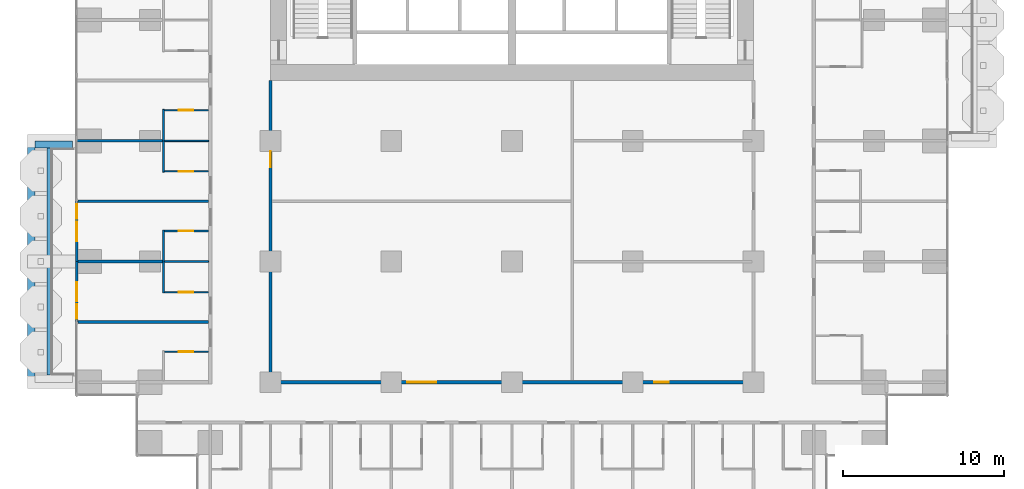
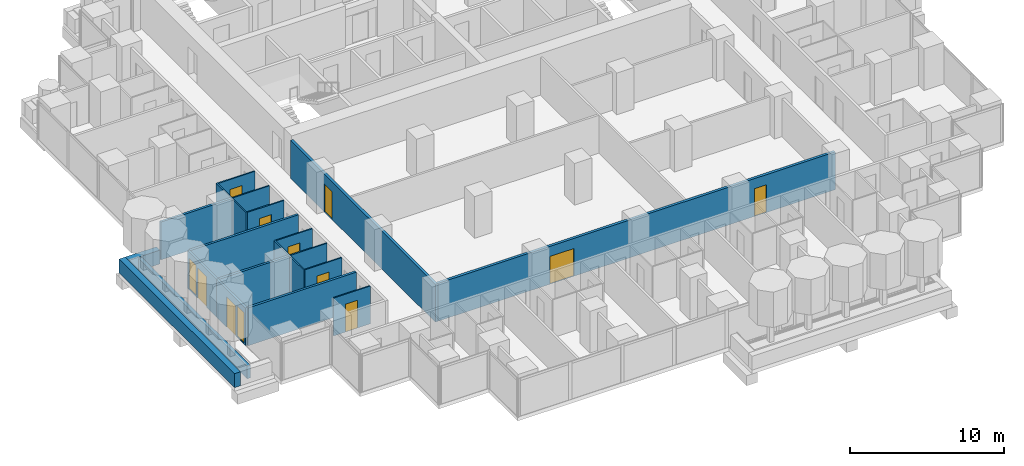
# One storey, part 12 of 20: 20 walls, 10 doors, 2 windows, 12 openings.
"""IFC4 building model written with IfcOpenShell, lengths in metres."""

from ifc_helpers import new_model, si_unit, direction, frame, frame_2d, origin, place, context, subcontext, project, spatial, rectangle, extrude, material, layer, layer_set, type_object, element, fill, save


model = new_model("IFC4")

# Units and contexts
model_context = context("Model", 3, precision=1e-05, world=origin(), true_north=direction((0.0, 1.0)))
body_context = subcontext(model_context, "Body", "Model", "MODEL_VIEW")
ifc_project = project(units=[si_unit("LENGTHUNIT", "METRE"), si_unit("AREAUNIT", "SQUARE_METRE"), si_unit("VOLUMEUNIT", "CUBIC_METRE"), si_unit("PLANEANGLEUNIT", "RADIAN"), si_unit("MASSUNIT", "GRAM", prefix="KILO")], contexts=[model_context])

# Site, building, storey
site_placement = place(None, origin())
site = spatial("IfcSite", under=ifc_project, at=site_placement, CompositionType="ELEMENT")
building_placement = place(site_placement, origin())
building = spatial("IfcBuilding", under=site, at=building_placement, Name="Pilkhan Gate Tower", CompositionType="ELEMENT")
storey_placement = place(building_placement, frame((0.0, 0.0, 85.699951171875)))
storey = spatial("IfcBuildingStorey", under=building, at=storey_placement, Name="L20", CompositionType="ELEMENT", Elevation=85.699951171875)

# Walls
ifc_material_1 = material(Name="Dense blockwork", Category="masonry")
ifc_layer_1 = layer(ifc_material_1, 0.175048828125)
ifc_layer_set_1 = layer_set([ifc_layer_1], Name="Acoustic party wall PW175")
wall_type_1 = type_object("IfcWallType", Name="Acoustic party wall PW175", PredefinedType="PARTITIONING", material=ifc_layer_set_1)
wall_1_placement = place(storey_placement, frame((48.0400390625, 56.25, 0.0), z_axis=(0.0, 0.0, 1.0), x_axis=(1.0, 0.0, 0.0)))
element("IfcWall", 1, at=wall_1_placement, inside=storey, type_object=wall_type_1, Name="Partition L20", PredefinedType="PARTITIONING", context=body_context, shape_type="SweptSolid", body=[
    extrude(rectangle(XDim=8.10986328125, YDim=0.175048828125, at=frame_2d((4.054931640625, 0.0))), origin(), (0.0, 0.0, 1.0), 3.0),
])
wall_2_placement = place(storey_placement, frame((48.0400390625, 60.0, 0.0), z_axis=(0.0, 0.0, 1.0), x_axis=(1.0, 0.0, 0.0)))
element("IfcWall", 2, at=wall_2_placement, inside=storey, type_object=wall_type_1, Name="Partition L20", PredefinedType="PARTITIONING", context=body_context, shape_type="SweptSolid", body=[
    extrude(rectangle(XDim=5.260009765625, YDim=0.175048828125, at=frame_2d((2.6298828125, 0.0))), origin(), (0.0, 0.0, 1.0), 3.0),
])
wall_3_placement = place(storey_placement, frame((48.0400390625, 63.75, 0.0), z_axis=(0.0, 0.0, 1.0), x_axis=(1.0, 0.0, 0.0)))
element("IfcWall", 3, at=wall_3_placement, inside=storey, type_object=wall_type_1, Name="Partition L20", PredefinedType="PARTITIONING", context=body_context, shape_type="SweptSolid", body=[
    extrude(rectangle(XDim=8.10986328125, YDim=0.175048828125, at=frame_2d((4.054931640625, 0.0))), origin(), (0.0, 0.0, 1.0), 3.0),
])
wall_4_placement = place(storey_placement, frame((47.985107421875, 67.5, 0.0), z_axis=(0.0, 0.0, 1.0), x_axis=(1.0, 0.0, 0.0)))
element("IfcWall", 4, at=wall_4_placement, inside=storey, type_object=wall_type_1, Name="Partition L20", PredefinedType="PARTITIONING", context=body_context, shape_type="SweptSolid", body=[
    extrude(rectangle(XDim=5.31494140625, YDim=0.175048828125, at=frame_2d((2.657470703125, 0.0))), origin(), (0.0, 0.0, 1.0), 3.0),
])
ifc_material_2 = material(Name="Concrete C40/50", Category="concrete")
ifc_layer_2 = layer(ifc_material_2, 0.25)
ifc_layer_set_2 = layer_set([ifc_layer_2], Name="Balcony planter BP250")
wall_type_2 = type_object("IfcWallType", Name="Balcony planter BP250", PredefinedType="USERDEFINED", material=ifc_layer_set_2)
wall_5_placement = place(storey_placement, frame((46.22509765625, 52.949951171875, 0.0), z_axis=(0.0, 0.0, 1.0), x_axis=(0.0, 1.0, 0.0)))
element("IfcWall", 5, at=wall_5_placement, inside=storey, type_object=wall_type_2, Name="Balcony planter L20 W", ObjectType="BALCONY PLANTER", PredefinedType="USERDEFINED", context=body_context, shape_type="SweptSolid", body=[
    extrude(rectangle(XDim=14.10009765625, YDim=0.25, at=frame_2d((7.050048828125, 0.0))), origin(), (0.0, 0.0, 1.0), 1.0),
])
ifc_material_3 = material(Name="Board-marked Concrete C40/50", Category="concrete")
ifc_layer_3 = layer(ifc_material_3, 0.449951171875)
ifc_layer_set_3 = layer_set([ifc_layer_3], Name="Balcony planter lip BL450")
wall_type_3 = type_object("IfcWallType", Name="Balcony planter lip BL450", PredefinedType="USERDEFINED", material=ifc_layer_set_3)
wall_6_placement = place(storey_placement, frame((45.125, 52.5, 0.0), z_axis=(0.0, 0.0, 1.0), x_axis=(0.0, 1.0, 0.0)))
element("IfcWall", 6, at=wall_6_placement, inside=storey, type_object=wall_type_3, Name="Balcony planter L20 W", ObjectType="BALCONY PLANTER", PredefinedType="USERDEFINED", context=body_context, shape_type="SweptSolid", body=[
    extrude(rectangle(XDim=15.0, YDim=0.449951171875, at=frame_2d((7.5, 0.0))), origin(), (0.0, 0.0, 1.0), 1.10009765625),
])
wall_7_placement = place(storey_placement, frame((47.699951171875, 67.27490234375, 0.0), z_axis=(0.0, 0.0, 1.0), x_axis=(-1.0, 0.0, 0.0)))
element("IfcWall", 7, at=wall_7_placement, inside=storey, type_object=wall_type_3, Name="Balcony planter L20 W", ObjectType="BALCONY PLANTER", PredefinedType="USERDEFINED", context=body_context, shape_type="SweptSolid", body=[
    extrude(rectangle(XDim=2.349853515625, YDim=0.449951171875, at=frame_2d((1.1748046875, 0.0))), origin(), (0.0, 0.0, 1.0), 1.10009765625),
])

# Wall, openings, doors
ifc_layer_4 = layer(ifc_material_1, 0.199951171875)
ifc_layer_set_4 = layer_set([ifc_layer_4], Name="Corridor wall FW200")
wall_type_4 = type_object("IfcWallType", Name="Corridor wall FW200", PredefinedType="PARTITIONING", material=ifc_layer_set_4)
wall_8_placement = place(storey_placement, frame((60.10009765625, 52.5, 0.0), z_axis=(0.0, 0.0, 1.0), x_axis=(1.0, 0.0, 0.0)))
wall_8 = element("IfcWall", 8, at=wall_8_placement, inside=storey, type_object=wall_type_4, Name="Partition L20", PredefinedType="PARTITIONING", context=body_context, shape_type="SweptSolid", body=[
    extrude(rectangle(XDim=29.7998046875, YDim=0.199951171875, at=frame_2d((14.89990234375, 0.0))), origin(), (0.0, 0.0, 1.0), 3.0),
])
opening_1_placement = place(wall_8_placement, frame((8.39990234375, 0.0, 0.0)))
opening_1 = element("IfcOpeningElement", 9, at=opening_1_placement, cuts=wall_8, Name="Opening L20-64", PredefinedType="OPENING", context=body_context, shape_type="SweptSolid", body=[
    extrude(rectangle(XDim=1.800048828125, YDim=2.199951171875, at=frame_2d((0.89990234375, 1.10009765625))), frame((0.0, 0.10986328125, 0.0), z_axis=(0.0, -1.0, 0.0), x_axis=(1.0, 0.0, 0.0)), (0.0, 0.0, 1.0), 0.219970703125),
])
opening_2_placement = place(wall_8_placement, frame((23.75, 0.0, 0.0)))
opening_2 = element("IfcOpeningElement", 10, at=opening_2_placement, cuts=wall_8, Name="Opening L20-65", PredefinedType="OPENING", context=body_context, shape_type="SweptSolid", body=[
    extrude(rectangle(XDim=0.89990234375, YDim=2.199951171875, at=frame_2d((0.449951171875, 1.10009765625))), frame((0.0, 0.10986328125, 0.0), z_axis=(0.0, -1.0, 0.0), x_axis=(1.0, 0.0, 0.0)), (0.0, 0.0, 1.0), 0.219970703125),
])
ifc_material_4 = material(Name="Timber glazed double door, 30 minute fire resisting", Category="wood")
door_type_1 = type_object("IfcDoorType", Name="Double door D04 1800x2200", OperationType="DOUBLE_DOOR_SINGLE_SWING", PredefinedType="DOOR", material=ifc_material_4)
door_1_placement = place(opening_1_placement, origin())
door_1 = element("IfcDoor", 11, at=door_1_placement, inside=storey, type_object=door_type_1, Name="Double door", OperationType="DOUBLE_DOOR_SINGLE_SWING", OverallHeight=2.199951171875, OverallWidth=1.800048828125, PredefinedType="DOOR", context=body_context, shape_type="SweptSolid", body=[
    extrude(rectangle(XDim=1.800048828125, YDim=2.199951171875, at=frame_2d((0.89990234375, 1.10009765625))), frame((0.0, 0.02490234375, 0.0), z_axis=(0.0, -1.0, 0.0), x_axis=(1.0, 0.0, 0.0)), (0.0, 0.0, 1.0), 0.050048828125),
])
fill(opening_1, door_1)
ifc_material_5 = material(Name="Timber flush door, 60 minute fire resisting, self-closing", Category="wood")
door_type_2 = type_object("IfcDoorType", Name="Store door D05 900x2200", OperationType="SINGLE_SWING_LEFT", PredefinedType="DOOR", material=ifc_material_5)
door_2_placement = place(opening_2_placement, origin())
door_2 = element("IfcDoor", 12, at=door_2_placement, inside=storey, type_object=door_type_2, Name="Store door", OperationType="SINGLE_SWING_RIGHT", OverallHeight=2.199951171875, OverallWidth=0.89990234375, PredefinedType="DOOR", context=body_context, shape_type="SweptSolid", body=[
    extrude(rectangle(XDim=0.89990234375, YDim=2.199951171875, at=frame_2d((0.449951171875, 1.10009765625))), frame((0.0, 0.02490234375, 0.0), z_axis=(0.0, -1.0, 0.0), x_axis=(1.0, 0.0, 0.0)), (0.0, 0.0, 1.0), 0.050048828125),
])
fill(opening_2, door_2)

# Wall, opening, door
wall_9_placement = place(storey_placement, frame((60.0, 52.39990234375, 0.0), z_axis=(0.0, 0.0, 1.0), x_axis=(0.0, 1.0, 0.0)))
wall_9 = element("IfcWall", 13, at=wall_9_placement, inside=storey, type_object=wall_type_4, Name="Partition L20", PredefinedType="PARTITIONING", context=body_context, shape_type="SweptSolid", body=[
    extrude(rectangle(XDim=18.840087890625, YDim=0.199951171875, at=frame_2d((9.419921875, 0.0))), origin(), (0.0, 0.0, 1.0), 3.0),
])
opening_3_placement = place(wall_9_placement, frame((13.449951171875, 0.0, 0.0)))
opening_3 = element("IfcOpeningElement", 14, at=opening_3_placement, cuts=wall_9, Name="Opening L20-67", PredefinedType="OPENING", context=body_context, shape_type="SweptSolid", body=[
    extrude(rectangle(XDim=1.0, YDim=2.199951171875, at=frame_2d((0.5, 1.10009765625))), frame((0.0, 0.10986328125, 0.0), z_axis=(0.0, -1.0, 0.0), x_axis=(1.0, 0.0, 0.0)), (0.0, 0.0, 1.0), 0.219970703125),
])
ifc_material_6 = material(Name="Timber flush door, 30 minute fire resisting", Category="wood")
door_type_3 = type_object("IfcDoorType", Name="Room door D03 1000x2200", OperationType="SINGLE_SWING_LEFT", PredefinedType="DOOR", material=ifc_material_6)
door_3_placement = place(opening_3_placement, origin())
door_3 = element("IfcDoor", 15, at=door_3_placement, inside=storey, type_object=door_type_3, Name="Room door", OperationType="SINGLE_SWING_LEFT", OverallHeight=2.199951171875, OverallWidth=1.0, PredefinedType="DOOR", context=body_context, shape_type="SweptSolid", body=[
    extrude(rectangle(XDim=1.0, YDim=2.199951171875, at=frame_2d((0.5, 1.10009765625))), frame((0.0, 0.02490234375, 0.0), z_axis=(0.0, -1.0, 0.0), x_axis=(1.0, 0.0, 0.0)), (0.0, 0.0, 1.0), 0.050048828125),
])
fill(opening_3, door_3)

# Wall, openings, door, window
ifc_material_7 = material(Name="Pale anodised aluminium, clear laminated glazing", Category="aluminium")
ifc_layer_5 = layer(ifc_material_7, 0.14990234375)
ifc_layer_set_5 = layer_set([ifc_layer_5], Name="Facade infill wall IW150")
wall_type_5 = type_object("IfcWallType", Name="Facade infill wall IW150", PredefinedType="SOLIDWALL", material=ifc_layer_set_5)
wall_10_placement = place(storey_placement, frame((47.955078125, 56.25, 0.0), z_axis=(0.0, 0.0, 1.0), x_axis=(0.0, 1.0, 0.0)))
wall_10 = element("IfcWall", 16, at=wall_10_placement, inside=storey, type_object=wall_type_5, Name="Infill wall L20 W", PredefinedType="SOLIDWALL", context=body_context, shape_type="SweptSolid", body=[
    extrude(rectangle(XDim=3.75, YDim=0.14990234375, at=frame_2d((1.875, 0.0))), origin(), (0.0, 0.0, 1.0), 3.0),
])
opening_4_placement = place(wall_10_placement, frame((0.1875, 0.0, 0.10009765625)))
opening_4 = element("IfcOpeningElement", 17, at=opening_4_placement, cuts=wall_10, Name="Opening W1", PredefinedType="OPENING", context=body_context, shape_type="SweptSolid", body=[
    extrude(rectangle(XDim=0.89990234375, YDim=2.39990234375, at=frame_2d((0.449951171875, 1.199951171875))), frame((0.0, 0.0849609375, 0.0), z_axis=(0.0, -1.0, 0.0), x_axis=(1.0, 0.0, 0.0)), (0.0, 0.0, 1.0), 0.169921875),
])
opening_5_placement = place(wall_10_placement, frame((1.27490234375, 0.0, 0.0)))
opening_5 = element("IfcOpeningElement", 18, at=opening_5_placement, cuts=wall_10, Name="Opening D1", PredefinedType="OPENING", context=body_context, shape_type="SweptSolid", body=[
    extrude(rectangle(XDim=1.199951171875, YDim=2.39990234375, at=frame_2d((0.60009765625, 1.199951171875))), frame((0.0, 0.0849609375, 0.0), z_axis=(0.0, -1.0, 0.0), x_axis=(1.0, 0.0, 0.0)), (0.0, 0.0, 1.0), 0.169921875),
])
ifc_material_8 = material(Name="Pale anodised aluminium, clear glazing", Category="aluminium")
door_type_4 = type_object("IfcDoorType", Name="Balcony door D1 1200x2400", OperationType="SINGLE_SWING_LEFT", PredefinedType="DOOR", material=ifc_material_8)
door_4_placement = place(opening_5_placement, origin())
door_4 = element("IfcDoor", 19, at=door_4_placement, inside=storey, type_object=door_type_4, Name="Balcony door L20", OperationType="SINGLE_SWING_LEFT", OverallHeight=2.39990234375, OverallWidth=1.199951171875, PredefinedType="DOOR", context=body_context, shape_type="SweptSolid", body=[
    extrude(rectangle(XDim=1.199951171875, YDim=2.39990234375, at=frame_2d((0.60009765625, 1.199951171875))), frame((0.0, 0.02490234375, 0.0), z_axis=(0.0, -1.0, 0.0), x_axis=(1.0, 0.0, 0.0)), (0.0, 0.0, 1.0), 0.050048828125),
])
fill(opening_5, door_4)
ifc_material_9 = material(Name="Pale anodised aluminium, clear double glazing", Category="aluminium")
window_type = type_object("IfcWindowType", Name="Window W1 900x2400", PartitioningType="SINGLE_PANEL", PredefinedType="WINDOW", material=ifc_material_9)
window_1_placement = place(opening_4_placement, origin())
window_1 = element("IfcWindow", 20, at=window_1_placement, inside=storey, type_object=window_type, Name="Window L20", OverallHeight=2.39990234375, OverallWidth=0.89990234375, PartitioningType="SINGLE_PANEL", PredefinedType="WINDOW", context=body_context, shape_type="SweptSolid", body=[
    extrude(rectangle(XDim=0.89990234375, YDim=2.39990234375, at=frame_2d((0.449951171875, 1.199951171875))), frame((0.0, 0.030029296875, 0.0), z_axis=(0.0, -1.0, 0.0), x_axis=(1.0, 0.0, 0.0)), (0.0, 0.0, 1.0), 0.06005859375),
])
fill(opening_4, window_1)

wall_11_placement = place(storey_placement, frame((47.955078125, 60.0, 0.0), z_axis=(0.0, 0.0, 1.0), x_axis=(0.0, 1.0, 0.0)))
wall_11 = element("IfcWall", 21, at=wall_11_placement, inside=storey, type_object=wall_type_5, Name="Infill wall L20 W", PredefinedType="SOLIDWALL", context=body_context, shape_type="SweptSolid", body=[
    extrude(rectangle(XDim=3.75, YDim=0.14990234375, at=frame_2d((1.875, 0.0))), origin(), (0.0, 0.0, 1.0), 3.0),
])
opening_6_placement = place(wall_11_placement, frame((1.27490234375, 0.0, 0.0)))
opening_6 = element("IfcOpeningElement", 22, at=opening_6_placement, cuts=wall_11, Name="Opening D1", PredefinedType="OPENING", context=body_context, shape_type="SweptSolid", body=[
    extrude(rectangle(XDim=1.199951171875, YDim=2.39990234375, at=frame_2d((0.60009765625, 1.199951171875))), frame((0.0, 0.0849609375, 0.0), z_axis=(0.0, -1.0, 0.0), x_axis=(1.0, 0.0, 0.0)), (0.0, 0.0, 1.0), 0.169921875),
])
opening_7_placement = place(wall_11_placement, frame((2.66259765625, 0.0, 0.10009765625)))
opening_7 = element("IfcOpeningElement", 23, at=opening_7_placement, cuts=wall_11, Name="Opening W1", PredefinedType="OPENING", context=body_context, shape_type="SweptSolid", body=[
    extrude(rectangle(XDim=0.89990234375, YDim=2.39990234375, at=frame_2d((0.449951171875, 1.199951171875))), frame((0.0, 0.0849609375, 0.0), z_axis=(0.0, -1.0, 0.0), x_axis=(1.0, 0.0, 0.0)), (0.0, 0.0, 1.0), 0.169921875),
])
door_5_placement = place(opening_6_placement, origin())
door_5 = element("IfcDoor", 24, at=door_5_placement, inside=storey, type_object=door_type_4, Name="Balcony door L20", OperationType="SINGLE_SWING_LEFT", OverallHeight=2.39990234375, OverallWidth=1.199951171875, PredefinedType="DOOR", context=body_context, shape_type="SweptSolid", body=[
    extrude(rectangle(XDim=1.199951171875, YDim=2.39990234375, at=frame_2d((0.60009765625, 1.199951171875))), frame((0.0, 0.02490234375, 0.0), z_axis=(0.0, -1.0, 0.0), x_axis=(1.0, 0.0, 0.0)), (0.0, 0.0, 1.0), 0.050048828125),
])
fill(opening_6, door_5)
window_2_placement = place(opening_7_placement, origin())
window_2 = element("IfcWindow", 25, at=window_2_placement, inside=storey, type_object=window_type, Name="Window L20", OverallHeight=2.39990234375, OverallWidth=0.89990234375, PartitioningType="SINGLE_PANEL", PredefinedType="WINDOW", context=body_context, shape_type="SweptSolid", body=[
    extrude(rectangle(XDim=0.89990234375, YDim=2.39990234375, at=frame_2d((0.449951171875, 1.199951171875))), frame((0.0, 0.030029296875, 0.0), z_axis=(0.0, -1.0, 0.0), x_axis=(1.0, 0.0, 0.0)), (0.0, 0.0, 1.0), 0.06005859375),
])
fill(opening_7, window_2)

# Wall, opening, door
ifc_material_10 = material(Name="Moisture resistant board, tiled")
ifc_layer_6 = layer(ifc_material_10, 0.10009765625)
ifc_layer_set_6 = layer_set([ifc_layer_6], Name="Wet wall PW100")
wall_type_6 = type_object("IfcWallType", Name="Wet wall PW100", PredefinedType="PARTITIONING", material=ifc_layer_set_6)
wall_12_placement = place(storey_placement, frame((53.39990234375, 54.39990234375, 0.0), z_axis=(0.0, 0.0, 1.0), x_axis=(1.0, 0.0, 0.0)))
wall_12 = element("IfcWall", 26, at=wall_12_placement, inside=storey, type_object=wall_type_6, Name="Partition L20", PredefinedType="PARTITIONING", context=body_context, shape_type="SweptSolid", body=[
    extrude(rectangle(XDim=2.75, YDim=0.10009765625, at=frame_2d((1.375, 0.0))), origin(), (0.0, 0.0, 1.0), 3.0),
])
opening_8_placement = place(wall_12_placement, frame((0.89990234375, 0.0, 0.0)))
opening_8 = element("IfcOpeningElement", 27, at=opening_8_placement, cuts=wall_12, Name="Opening L20-27", PredefinedType="OPENING", context=body_context, shape_type="SweptSolid", body=[
    extrude(rectangle(XDim=0.89990234375, YDim=2.199951171875, at=frame_2d((0.449951171875, 1.10009765625))), frame((0.0, 0.06005859375, 0.0), z_axis=(0.0, -1.0, 0.0), x_axis=(1.0, 0.0, 0.0)), (0.0, 0.0, 1.0), 0.1201171875),
])
ifc_material_11 = material(Name="Timber flush door", Category="wood")
door_type_5 = type_object("IfcDoorType", Name="Bathroom door D02 900x2200", OperationType="SINGLE_SWING_RIGHT", PredefinedType="DOOR", material=ifc_material_11)
door_6_placement = place(opening_8_placement, origin())
door_6 = element("IfcDoor", 28, at=door_6_placement, inside=storey, type_object=door_type_5, Name="Bathroom door", OperationType="SINGLE_SWING_RIGHT", OverallHeight=2.199951171875, OverallWidth=0.89990234375, PredefinedType="DOOR", context=body_context, shape_type="SweptSolid", body=[
    extrude(rectangle(XDim=0.89990234375, YDim=2.199951171875, at=frame_2d((0.449951171875, 1.10009765625))), frame((0.0, 0.02490234375, 0.0), z_axis=(0.0, -1.0, 0.0), x_axis=(1.0, 0.0, 0.0)), (0.0, 0.0, 1.0), 0.050048828125),
])
fill(opening_8, door_6)

wall_13_placement = place(storey_placement, frame((53.39990234375, 58.10009765625, 0.0), z_axis=(0.0, 0.0, 1.0), x_axis=(1.0, 0.0, 0.0)))
wall_13 = element("IfcWall", 29, at=wall_13_placement, inside=storey, type_object=wall_type_6, Name="Partition L20", PredefinedType="PARTITIONING", context=body_context, shape_type="SweptSolid", body=[
    extrude(rectangle(XDim=2.75, YDim=0.10009765625, at=frame_2d((1.375, 0.0))), origin(), (0.0, 0.0, 1.0), 3.0),
])
opening_9_placement = place(wall_13_placement, frame((0.89990234375, 0.0, 0.0)))
opening_9 = element("IfcOpeningElement", 30, at=opening_9_placement, cuts=wall_13, Name="Opening L20-29", PredefinedType="OPENING", context=body_context, shape_type="SweptSolid", body=[
    extrude(rectangle(XDim=0.89990234375, YDim=2.199951171875, at=frame_2d((0.449951171875, 1.10009765625))), frame((0.0, 0.06005859375, 0.0), z_axis=(0.0, -1.0, 0.0), x_axis=(1.0, 0.0, 0.0)), (0.0, 0.0, 1.0), 0.1201171875),
])
door_7_placement = place(opening_9_placement, origin())
door_7 = element("IfcDoor", 31, at=door_7_placement, inside=storey, type_object=door_type_5, Name="Bathroom door", OperationType="SINGLE_SWING_RIGHT", OverallHeight=2.199951171875, OverallWidth=0.89990234375, PredefinedType="DOOR", context=body_context, shape_type="SweptSolid", body=[
    extrude(rectangle(XDim=0.89990234375, YDim=2.199951171875, at=frame_2d((0.449951171875, 1.10009765625))), frame((0.0, 0.02490234375, 0.0), z_axis=(0.0, -1.0, 0.0), x_axis=(1.0, 0.0, 0.0)), (0.0, 0.0, 1.0), 0.050048828125),
])
fill(opening_9, door_7)

# Wall
wall_14_placement = place(storey_placement, frame((53.39990234375, 60.0, 0.0), z_axis=(0.0, 0.0, 1.0), x_axis=(1.0, 0.0, 0.0)))
element("IfcWall", 32, at=wall_14_placement, inside=storey, type_object=wall_type_6, Name="Partition L20", PredefinedType="PARTITIONING", context=body_context, shape_type="SweptSolid", body=[
    extrude(rectangle(XDim=2.75, YDim=0.10009765625, at=frame_2d((1.375, 0.0))), origin(), (0.0, 0.0, 1.0), 3.0),
])

# Wall, opening, door
wall_15_placement = place(storey_placement, frame((53.39990234375, 61.89990234375, 0.0), z_axis=(0.0, 0.0, 1.0), x_axis=(1.0, 0.0, 0.0)))
wall_15 = element("IfcWall", 33, at=wall_15_placement, inside=storey, type_object=wall_type_6, Name="Partition L20", PredefinedType="PARTITIONING", context=body_context, shape_type="SweptSolid", body=[
    extrude(rectangle(XDim=2.75, YDim=0.10009765625, at=frame_2d((1.375, 0.0))), origin(), (0.0, 0.0, 1.0), 3.0),
])
opening_10_placement = place(wall_15_placement, frame((0.89990234375, 0.0, 0.0)))
opening_10 = element("IfcOpeningElement", 34, at=opening_10_placement, cuts=wall_15, Name="Opening L20-31", PredefinedType="OPENING", context=body_context, shape_type="SweptSolid", body=[
    extrude(rectangle(XDim=0.89990234375, YDim=2.199951171875, at=frame_2d((0.449951171875, 1.10009765625))), frame((0.0, 0.06005859375, 0.0), z_axis=(0.0, -1.0, 0.0), x_axis=(1.0, 0.0, 0.0)), (0.0, 0.0, 1.0), 0.1201171875),
])
door_8_placement = place(opening_10_placement, origin())
door_8 = element("IfcDoor", 35, at=door_8_placement, inside=storey, type_object=door_type_5, Name="Bathroom door", OperationType="SINGLE_SWING_RIGHT", OverallHeight=2.199951171875, OverallWidth=0.89990234375, PredefinedType="DOOR", context=body_context, shape_type="SweptSolid", body=[
    extrude(rectangle(XDim=0.89990234375, YDim=2.199951171875, at=frame_2d((0.449951171875, 1.10009765625))), frame((0.0, 0.02490234375, 0.0), z_axis=(0.0, -1.0, 0.0), x_axis=(1.0, 0.0, 0.0)), (0.0, 0.0, 1.0), 0.050048828125),
])
fill(opening_10, door_8)

wall_16_placement = place(storey_placement, frame((53.39990234375, 65.60009765625, 0.0), z_axis=(0.0, 0.0, 1.0), x_axis=(1.0, 0.0, 0.0)))
wall_16 = element("IfcWall", 36, at=wall_16_placement, inside=storey, type_object=wall_type_6, Name="Partition L20", PredefinedType="PARTITIONING", context=body_context, shape_type="SweptSolid", body=[
    extrude(rectangle(XDim=2.75, YDim=0.10009765625, at=frame_2d((1.375, 0.0))), origin(), (0.0, 0.0, 1.0), 3.0),
])
opening_11_placement = place(wall_16_placement, frame((0.89990234375, 0.0, 0.0)))
opening_11 = element("IfcOpeningElement", 37, at=opening_11_placement, cuts=wall_16, Name="Opening L20-33", PredefinedType="OPENING", context=body_context, shape_type="SweptSolid", body=[
    extrude(rectangle(XDim=0.89990234375, YDim=2.199951171875, at=frame_2d((0.449951171875, 1.10009765625))), frame((0.0, 0.06005859375, 0.0), z_axis=(0.0, -1.0, 0.0), x_axis=(1.0, 0.0, 0.0)), (0.0, 0.0, 1.0), 0.1201171875),
])
door_9_placement = place(opening_11_placement, origin())
door_9 = element("IfcDoor", 38, at=door_9_placement, inside=storey, type_object=door_type_5, Name="Bathroom door", OperationType="SINGLE_SWING_RIGHT", OverallHeight=2.199951171875, OverallWidth=0.89990234375, PredefinedType="DOOR", context=body_context, shape_type="SweptSolid", body=[
    extrude(rectangle(XDim=0.89990234375, YDim=2.199951171875, at=frame_2d((0.449951171875, 1.10009765625))), frame((0.0, 0.02490234375, 0.0), z_axis=(0.0, -1.0, 0.0), x_axis=(1.0, 0.0, 0.0)), (0.0, 0.0, 1.0), 0.050048828125),
])
fill(opening_11, door_9)

# Wall
wall_17_placement = place(storey_placement, frame((53.39990234375, 67.5, 0.0), z_axis=(0.0, 0.0, 1.0), x_axis=(1.0, 0.0, 0.0)))
element("IfcWall", 39, at=wall_17_placement, inside=storey, type_object=wall_type_6, Name="Partition L20", PredefinedType="PARTITIONING", context=body_context, shape_type="SweptSolid", body=[
    extrude(rectangle(XDim=2.75, YDim=0.10009765625, at=frame_2d((1.375, 0.0))), origin(), (0.0, 0.0, 1.0), 3.0),
])

# Wall, opening, door
wall_18_placement = place(storey_placement, frame((53.39990234375, 69.39990234375, 0.0), z_axis=(0.0, 0.0, 1.0), x_axis=(1.0, 0.0, 0.0)))
wall_18 = element("IfcWall", 40, at=wall_18_placement, inside=storey, type_object=wall_type_6, Name="Partition L20", PredefinedType="PARTITIONING", context=body_context, shape_type="SweptSolid", body=[
    extrude(rectangle(XDim=2.75, YDim=0.10009765625, at=frame_2d((1.375, 0.0))), origin(), (0.0, 0.0, 1.0), 3.0),
])
opening_12_placement = place(wall_18_placement, frame((0.89990234375, 0.0, 0.0)))
opening_12 = element("IfcOpeningElement", 41, at=opening_12_placement, cuts=wall_18, Name="Opening L20-35", PredefinedType="OPENING", context=body_context, shape_type="SweptSolid", body=[
    extrude(rectangle(XDim=0.89990234375, YDim=2.199951171875, at=frame_2d((0.449951171875, 1.10009765625))), frame((0.0, 0.06005859375, 0.0), z_axis=(0.0, -1.0, 0.0), x_axis=(1.0, 0.0, 0.0)), (0.0, 0.0, 1.0), 0.1201171875),
])
door_10_placement = place(opening_12_placement, origin())
door_10 = element("IfcDoor", 42, at=door_10_placement, inside=storey, type_object=door_type_5, Name="Bathroom door", OperationType="SINGLE_SWING_RIGHT", OverallHeight=2.199951171875, OverallWidth=0.89990234375, PredefinedType="DOOR", context=body_context, shape_type="SweptSolid", body=[
    extrude(rectangle(XDim=0.89990234375, YDim=2.199951171875, at=frame_2d((0.449951171875, 1.10009765625))), frame((0.0, 0.02490234375, 0.0), z_axis=(0.0, -1.0, 0.0), x_axis=(1.0, 0.0, 0.0)), (0.0, 0.0, 1.0), 0.050048828125),
])
fill(opening_12, door_10)

# Walls
for number, where, z_axis, x_axis, name in (
    (43, (53.35009765625, 58.050048828125, 0.0), (0.0, 0.0, 1.0), (0.0, 1.0, 0.0), "Partition L20"),
    (44, (53.35009765625, 65.550048828125, 0.0), (0.0, 0.0, 1.0), (0.0, 1.0, 0.0), "Partition L20"),
):
    element("IfcWall", number, at=place(storey_placement, frame(where, z_axis=z_axis, x_axis=x_axis)), inside=storey, type_object=wall_type_6, Name=name, PredefinedType="PARTITIONING", context=body_context, shape_type="SweptSolid", body=[
        extrude(rectangle(XDim=3.89990234375, YDim=0.10009765625, at=frame_2d((1.949951171875, 0.0))), origin(), (0.0, 0.0, 1.0), 3.0),
    ])

save(model, "model.ifc")
